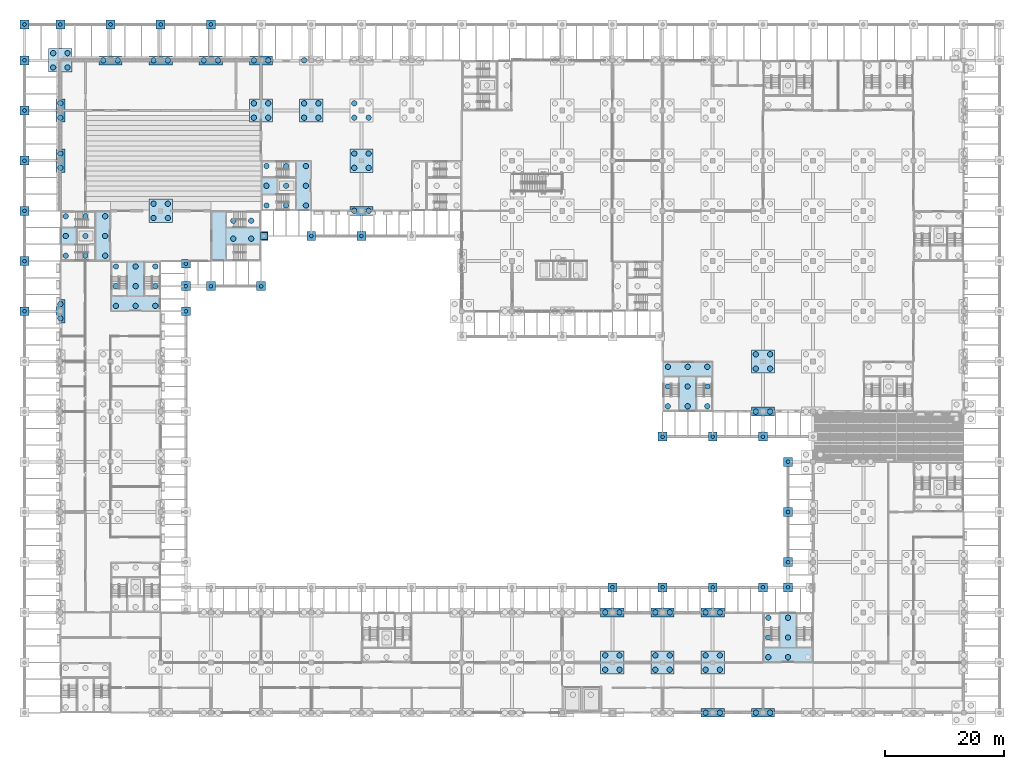
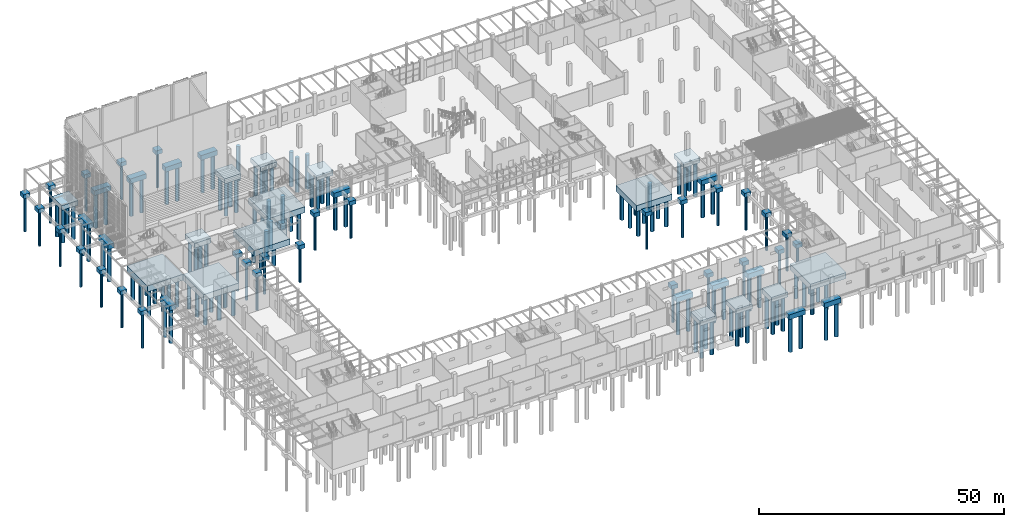
# One storey, part 2 of 82: 143 piles, 59 footings.
"""IFC4 building model written with IfcOpenShell, lengths in metres."""

from ifc_helpers import new_model, si_unit, direction, frame, origin, origin_2d, place, context, subcontext, project, spatial, polyline, rectangle, circle, outline, extrude, material, material_profile, profile_set, type_object, element, save


model = new_model("IFC4")

# Units and contexts
model_context = context("Model", 3, precision=1e-05, world=origin(), true_north=direction((0.0, 1.0)))
body_context = subcontext(model_context, "Body", "Model", "MODEL_VIEW")
ifc_project = project(units=[si_unit("LENGTHUNIT", "METRE"), si_unit("AREAUNIT", "SQUARE_METRE"), si_unit("VOLUMEUNIT", "CUBIC_METRE"), si_unit("PLANEANGLEUNIT", "RADIAN"), si_unit("MASSUNIT", "GRAM", prefix="KILO")], contexts=[model_context])

# Site, building, storey
site_placement = place(None, origin())
site = spatial("IfcSite", under=ifc_project, at=site_placement, CompositionType="ELEMENT")
building_placement = place(site_placement, origin())
building = spatial("IfcBuilding", under=site, at=building_placement, Name="Almond Square Museum", CompositionType="ELEMENT")
storey_placement = place(building_placement, origin())
storey = spatial("IfcBuildingStorey", under=building, at=storey_placement, Name="L00", CompositionType="ELEMENT", Elevation=0.0)

# Piles
ifc_material_1 = material(Name="Concrete C35/45", Category="concrete")
ifc_material_profile_1 = material_profile(ifc_material_1, circle(Radius=0.300048828125, at=origin_2d()))
ifc_profile_set_1 = profile_set([ifc_material_profile_1], Name="Concrete C35/45")
pile_type_1 = type_object("IfcPileType", Name="Bored pile D600 C35/45", PredefinedType="BORED", material=ifc_profile_set_1)
for number, where, z_axis, x_axis, name in (
    (1, (98.39990234375, 21.0, -1.199951171875), (0.0, 0.0, -1.0), (1.0, 0.0, 0.0), "Bored pile 063-1"),
    (2, (106.800048828125, 21.0, -1.199951171875), (0.0, 0.0, -1.0), (1.0, 0.0, 0.0), "Bored pile 064-1"),
    (3, (115.199951171875, 21.0, -1.199951171875), (0.0, 0.0, -1.0), (1.0, 0.0, 0.0), "Bored pile 065-1"),
    (4, (123.60009765625, 21.0, -1.199951171875), (0.0, 0.0, -1.0), (1.0, 0.0, 0.0), "Bored pile 066-1"),
    (5, (127.800048828125, 21.0, -1.199951171875), (0.0, 0.0, -1.0), (1.0, 0.0, 0.0), "Bored pile 067-1"),
    (6, (127.800048828125, 25.199951171875, -1.199951171875), (0.0, 0.0, -1.0), (1.0, 0.0, 0.0), "Bored pile 076-1"),
    (7, (127.800048828125, 33.60009765625, -1.199951171875), (0.0, 0.0, -1.0), (1.0, 0.0, 0.0), "Bored pile 085-1"),
    (8, (127.800048828125, 42.0, -1.199951171875), (0.0, 0.0, -1.0), (1.0, 0.0, 0.0), "Bored pile 094-1"),
    (9, (106.800048828125, 46.199951171875, -1.199951171875), (0.0, 0.0, -1.0), (1.0, 0.0, 0.0), "Bored pile 097-1"),
    (10, (115.199951171875, 46.199951171875, -1.199951171875), (0.0, 0.0, -1.0), (1.0, 0.0, 0.0), "Bored pile 098-1"),
    (11, (123.60009765625, 46.199951171875, -1.199951171875), (0.0, 0.0, -1.0), (1.0, 0.0, 0.0), "Bored pile 099-1"),
    (12, (0.0, 67.199951171875, -1.199951171875), (0.0, 0.0, -1.0), (1.0, 0.0, 0.0), "Bored pile 134-1"),
    (13, (27.0, 67.199951171875, -1.199951171875), (0.0, 0.0, -1.0), (1.0, 0.0, 0.0), "Bored pile 135-1"),
    (14, (27.0, 71.39990234375, -1.199951171875), (0.0, 0.0, -1.0), (1.0, 0.0, 0.0), "Bored pile 141-1"),
    (15, (31.199951171875, 71.39990234375, -1.199951171875), (0.0, 0.0, -1.0), (1.0, 0.0, 0.0), "Bored pile 142-1"),
    (16, (39.60009765625, 71.39990234375, -1.199951171875), (0.0, 0.0, -1.0), (1.0, 0.0, 0.0), "Bored pile 143-1"),
    (17, (27.0, 75.14990234375, -1.199951171875), (0.0, 0.0, -1.0), (1.0, 0.0, 0.0), "Bored pile 151-1"),
    (18, (0.0, 75.60009765625, -1.199951171875), (0.0, 0.0, -1.0), (1.0, 0.0, 0.0), "Bored pile 152-1"),
    (19, (48.0, 79.800048828125, -1.199951171875), (0.0, 0.0, -1.0), (1.0, 0.0, 0.0), "Bored pile 157-1"),
    (20, (56.39990234375, 79.800048828125, -1.199951171875), (0.0, 0.0, -1.0), (1.0, 0.0, 0.0), "Bored pile 158-1"),
    (21, (0.0, 84.0, -1.199951171875), (0.0, 0.0, -1.0), (1.0, 0.0, 0.0), "Bored pile 170-1"),
    (22, (0.0, 92.39990234375, -1.199951171875), (0.0, 0.0, -1.0), (1.0, 0.0, 0.0), "Bored pile 187-1"),
    (23, (0.0, 100.800048828125, -1.199951171875), (0.0, 0.0, -1.0), (1.0, 0.0, 0.0), "Bored pile 199-1"),
    (24, (0.0, 109.199951171875, -1.199951171875), (0.0, 0.0, -1.0), (1.0, 0.0, 0.0), "Bored pile 206-1"),
    (25, (0.0, 115.199951171875, -1.199951171875), (0.0, 0.0, -1.0), (1.0, 0.0, 0.0), "Bored pile 219-1"),
    (26, (6.0, 115.199951171875, -1.199951171875), (0.0, 0.0, -1.0), (1.0, 0.0, 0.0), "Bored pile 220-1"),
    (27, (14.39990234375, 115.199951171875, -1.199951171875), (0.0, 0.0, -1.0), (1.0, 0.0, 0.0), "Bored pile 221-1"),
    (28, (22.800048828125, 115.199951171875, -1.199951171875), (0.0, 0.0, -1.0), (1.0, 0.0, 0.0), "Bored pile 222-1"),
    (29, (31.199951171875, 115.199951171875, -1.199951171875), (0.0, 0.0, -1.0), (1.0, 0.0, 0.0), "Bored pile 223-1"),
):
    element("IfcPile", number, at=place(storey_placement, frame(where, z_axis=z_axis, x_axis=x_axis)), inside=storey, type_object=pile_type_1, Name=name, PredefinedType="BORED", context=body_context, shape_type="SweptSolid", body=[
        extrude(circle(Radius=0.300048828125, at=origin_2d()), origin(), (0.0, 0.0, 1.0), 8.800048828125),
    ])
ifc_material_2 = material(Name="Concrete C35/45", Category="concrete")
ifc_material_profile_2 = material_profile(ifc_material_2, circle(Radius=0.449951171875, at=origin_2d()))
ifc_profile_set_2 = profile_set([ifc_material_profile_2], Name="Concrete C35/45")
pile_type_2 = type_object("IfcPileType", Name="Bored pile D900 C35/45", PredefinedType="BORED", material=ifc_profile_set_2)
for number, where, z_axis, x_axis, name in (
    (30, (114.0, 0.0, -1.39990234375), (0.0, 0.0, -1.0), (1.0, 0.0, 0.0), "Bored pile 013-1"),
    (31, (116.39990234375, 0.0, -1.39990234375), (0.0, 0.0, -1.0), (1.0, 0.0, 0.0), "Bored pile 013-2"),
    (32, (122.39990234375, 0.0, -1.39990234375), (0.0, 0.0, -1.0), (1.0, 0.0, 0.0), "Bored pile 014-1"),
    (33, (124.800048828125, 0.0, -1.39990234375), (0.0, 0.0, -1.0), (1.0, 0.0, 0.0), "Bored pile 014-2"),
    (34, (97.199951171875, 7.199951171875, -1.39990234375), (0.0, 0.0, -1.0), (1.0, 0.0, 0.0), "Bored pile 027-1"),
    (35, (97.199951171875, 9.60009765625, -1.39990234375), (0.0, 0.0, -1.0), (1.0, 0.0, 0.0), "Bored pile 027-2"),
    (36, (99.60009765625, 7.199951171875, -1.39990234375), (0.0, 0.0, -1.0), (1.0, 0.0, 0.0), "Bored pile 027-3"),
    (37, (99.60009765625, 9.60009765625, -1.39990234375), (0.0, 0.0, -1.0), (1.0, 0.0, 0.0), "Bored pile 027-4"),
    (38, (105.60009765625, 7.199951171875, -1.39990234375), (0.0, 0.0, -1.0), (1.0, 0.0, 0.0), "Bored pile 028-1"),
    (39, (105.60009765625, 9.60009765625, -1.39990234375), (0.0, 0.0, -1.0), (1.0, 0.0, 0.0), "Bored pile 028-2"),
    (40, (108.0, 7.199951171875, -1.39990234375), (0.0, 0.0, -1.0), (1.0, 0.0, 0.0), "Bored pile 028-3"),
    (41, (108.0, 9.60009765625, -1.39990234375), (0.0, 0.0, -1.0), (1.0, 0.0, 0.0), "Bored pile 028-4"),
    (42, (114.0, 7.199951171875, -1.39990234375), (0.0, 0.0, -1.0), (1.0, 0.0, 0.0), "Bored pile 029-1"),
    (43, (114.0, 9.60009765625, -1.39990234375), (0.0, 0.0, -1.0), (1.0, 0.0, 0.0), "Bored pile 029-2"),
    (44, (116.39990234375, 7.199951171875, -1.39990234375), (0.0, 0.0, -1.0), (1.0, 0.0, 0.0), "Bored pile 029-3"),
    (45, (116.39990234375, 9.60009765625, -1.39990234375), (0.0, 0.0, -1.0), (1.0, 0.0, 0.0), "Bored pile 029-4"),
):
    element("IfcPile", number, at=place(storey_placement, frame(where, z_axis=z_axis, x_axis=x_axis)), inside=storey, type_object=pile_type_2, Name=name, PredefinedType="BORED", context=body_context, shape_type="SweptSolid", body=[
        extrude(circle(Radius=0.449951171875, at=origin_2d()), origin(), (0.0, 0.0, 1.0), 8.60009765625),
    ])
for number, where, z_axis, x_axis, name in (
    (46, (124.5, 9.300048828125, -3.199951171875), (0.0, 0.0, -1.0), (1.0, 0.0, 0.0), "Bored pile 036-1"),
    (47, (124.5, 12.60009765625, -3.199951171875), (0.0, 0.0, -1.0), (1.0, 0.0, 0.0), "Bored pile 036-2"),
    (48, (124.5, 15.89990234375, -3.199951171875), (0.0, 0.0, -1.0), (1.0, 0.0, 0.0), "Bored pile 036-3"),
    (49, (127.800048828125, 9.300048828125, -3.199951171875), (0.0, 0.0, -1.0), (1.0, 0.0, 0.0), "Bored pile 036-4"),
    (50, (127.800048828125, 12.60009765625, -3.199951171875), (0.0, 0.0, -1.0), (1.0, 0.0, 0.0), "Bored pile 036-5"),
    (51, (127.800048828125, 15.89990234375, -3.199951171875), (0.0, 0.0, -1.0), (1.0, 0.0, 0.0), "Bored pile 036-6"),
):
    element("IfcPile", number, at=place(storey_placement, frame(where, z_axis=z_axis, x_axis=x_axis)), inside=storey, type_object=pile_type_2, Name=name, PredefinedType="BORED", context=body_context, shape_type="SweptSolid", body=[
        extrude(circle(Radius=0.449951171875, at=origin_2d()), origin(), (0.0, 0.0, 1.0), 6.800048828125),
    ])
for number, where, z_axis, x_axis, name in (
    (52, (97.199951171875, 16.800048828125, -1.39990234375), (0.0, 0.0, -1.0), (1.0, 0.0, 0.0), "Bored pile 048-1"),
    (53, (99.60009765625, 16.800048828125, -1.39990234375), (0.0, 0.0, -1.0), (1.0, 0.0, 0.0), "Bored pile 048-2"),
    (54, (105.60009765625, 16.800048828125, -1.39990234375), (0.0, 0.0, -1.0), (1.0, 0.0, 0.0), "Bored pile 049-1"),
    (55, (108.0, 16.800048828125, -1.39990234375), (0.0, 0.0, -1.0), (1.0, 0.0, 0.0), "Bored pile 049-2"),
    (56, (114.0, 16.800048828125, -1.39990234375), (0.0, 0.0, -1.0), (1.0, 0.0, 0.0), "Bored pile 050-1"),
    (57, (116.39990234375, 16.800048828125, -1.39990234375), (0.0, 0.0, -1.0), (1.0, 0.0, 0.0), "Bored pile 050-2"),
    (58, (122.39990234375, 50.39990234375, -1.39990234375), (0.0, 0.0, -1.0), (1.0, 0.0, 0.0), "Bored pile 107-1"),
    (59, (124.800048828125, 50.39990234375, -1.39990234375), (0.0, 0.0, -1.0), (1.0, 0.0, 0.0), "Bored pile 107-2"),
):
    element("IfcPile", number, at=place(storey_placement, frame(where, z_axis=z_axis, x_axis=x_axis)), inside=storey, type_object=pile_type_2, Name=name, PredefinedType="BORED", context=body_context, shape_type="SweptSolid", body=[
        extrude(circle(Radius=0.449951171875, at=origin_2d()), origin(), (0.0, 0.0, 1.0), 8.60009765625),
    ])
for number, where, z_axis, x_axis, name in (
    (60, (107.699951171875, 51.300048828125, -3.199951171875), (0.0, 0.0, -1.0), (1.0, 0.0, 0.0), "Bored pile 110-1"),
    (61, (107.699951171875, 54.60009765625, -3.199951171875), (0.0, 0.0, -1.0), (1.0, 0.0, 0.0), "Bored pile 110-2"),
    (62, (107.699951171875, 57.89990234375, -3.199951171875), (0.0, 0.0, -1.0), (1.0, 0.0, 0.0), "Bored pile 110-3"),
    (63, (111.0, 51.300048828125, -3.199951171875), (0.0, 0.0, -1.0), (1.0, 0.0, 0.0), "Bored pile 110-4"),
    (64, (111.0, 54.60009765625, -3.199951171875), (0.0, 0.0, -1.0), (1.0, 0.0, 0.0), "Bored pile 110-5"),
    (65, (111.0, 57.89990234375, -3.199951171875), (0.0, 0.0, -1.0), (1.0, 0.0, 0.0), "Bored pile 110-6"),
    (66, (114.300048828125, 51.300048828125, -3.199951171875), (0.0, 0.0, -1.0), (1.0, 0.0, 0.0), "Bored pile 110-7"),
    (67, (114.300048828125, 54.60009765625, -3.199951171875), (0.0, 0.0, -1.0), (1.0, 0.0, 0.0), "Bored pile 110-8"),
    (68, (114.300048828125, 57.89990234375, -3.199951171875), (0.0, 0.0, -1.0), (1.0, 0.0, 0.0), "Bored pile 110-9"),
):
    element("IfcPile", number, at=place(storey_placement, frame(where, z_axis=z_axis, x_axis=x_axis)), inside=storey, type_object=pile_type_2, Name=name, PredefinedType="BORED", context=body_context, shape_type="SweptSolid", body=[
        extrude(circle(Radius=0.449951171875, at=origin_2d()), origin(), (0.0, 0.0, 1.0), 6.800048828125),
    ])
for number, where, z_axis, x_axis, name in (
    (69, (122.39990234375, 57.60009765625, -1.39990234375), (0.0, 0.0, -1.0), (1.0, 0.0, 0.0), "Bored pile 115-1"),
    (70, (122.39990234375, 60.0, -1.39990234375), (0.0, 0.0, -1.0), (1.0, 0.0, 0.0), "Bored pile 115-2"),
    (71, (124.800048828125, 57.60009765625, -1.39990234375), (0.0, 0.0, -1.0), (1.0, 0.0, 0.0), "Bored pile 115-3"),
    (72, (124.800048828125, 60.0, -1.39990234375), (0.0, 0.0, -1.0), (1.0, 0.0, 0.0), "Bored pile 115-4"),
    (73, (6.0, 66.0, -1.39990234375), (0.0, 0.0, -1.0), (1.0, 0.0, 0.0), "Bored pile 126-1"),
    (74, (6.0, 68.39990234375, -1.39990234375), (0.0, 0.0, -1.0), (1.0, 0.0, 0.0), "Bored pile 126-2"),
):
    element("IfcPile", number, at=place(storey_placement, frame(where, z_axis=z_axis, x_axis=x_axis)), inside=storey, type_object=pile_type_2, Name=name, PredefinedType="BORED", context=body_context, shape_type="SweptSolid", body=[
        extrude(circle(Radius=0.449951171875, at=origin_2d()), origin(), (0.0, 0.0, 1.0), 8.60009765625),
    ])
for number, where, z_axis, x_axis, name in (
    (75, (15.300048828125, 68.10009765625, -3.199951171875), (0.0, 0.0, -1.0), (1.0, 0.0, 0.0), "Bored pile 139-1"),
    (76, (15.300048828125, 71.39990234375, -3.199951171875), (0.0, 0.0, -1.0), (1.0, 0.0, 0.0), "Bored pile 139-2"),
    (77, (15.300048828125, 74.699951171875, -3.199951171875), (0.0, 0.0, -1.0), (1.0, 0.0, 0.0), "Bored pile 139-3"),
    (78, (18.60009765625, 68.10009765625, -3.199951171875), (0.0, 0.0, -1.0), (1.0, 0.0, 0.0), "Bored pile 139-4"),
    (79, (18.60009765625, 71.39990234375, -3.199951171875), (0.0, 0.0, -1.0), (1.0, 0.0, 0.0), "Bored pile 139-5"),
    (80, (18.60009765625, 74.699951171875, -3.199951171875), (0.0, 0.0, -1.0), (1.0, 0.0, 0.0), "Bored pile 139-6"),
    (81, (21.89990234375, 68.10009765625, -3.199951171875), (0.0, 0.0, -1.0), (1.0, 0.0, 0.0), "Bored pile 139-7"),
    (82, (21.89990234375, 71.39990234375, -3.199951171875), (0.0, 0.0, -1.0), (1.0, 0.0, 0.0), "Bored pile 139-8"),
    (83, (21.89990234375, 74.699951171875, -3.199951171875), (0.0, 0.0, -1.0), (1.0, 0.0, 0.0), "Bored pile 139-9"),
    (84, (6.89990234375, 76.5, -3.199951171875), (0.0, 0.0, -1.0), (1.0, 0.0, 0.0), "Bored pile 154-1"),
    (85, (6.89990234375, 79.800048828125, -3.199951171875), (0.0, 0.0, -1.0), (1.0, 0.0, 0.0), "Bored pile 154-2"),
    (86, (6.89990234375, 83.10009765625, -3.199951171875), (0.0, 0.0, -1.0), (1.0, 0.0, 0.0), "Bored pile 154-3"),
    (87, (10.199951171875, 76.5, -3.199951171875), (0.0, 0.0, -1.0), (1.0, 0.0, 0.0), "Bored pile 154-4"),
    (88, (10.199951171875, 79.800048828125, -3.199951171875), (0.0, 0.0, -1.0), (1.0, 0.0, 0.0), "Bored pile 154-5"),
    (89, (10.199951171875, 83.10009765625, -3.199951171875), (0.0, 0.0, -1.0), (1.0, 0.0, 0.0), "Bored pile 154-6"),
    (90, (13.5, 76.5, -3.199951171875), (0.0, 0.0, -1.0), (1.0, 0.0, 0.0), "Bored pile 154-7"),
    (91, (13.5, 79.800048828125, -3.199951171875), (0.0, 0.0, -1.0), (1.0, 0.0, 0.0), "Bored pile 154-8"),
    (92, (13.5, 83.10009765625, -3.199951171875), (0.0, 0.0, -1.0), (1.0, 0.0, 0.0), "Bored pile 154-9"),
    (93, (34.949951171875, 79.35009765625, -3.199951171875), (0.0, 0.0, -1.0), (1.0, 0.0, 0.0), "Bored pile 155-1"),
    (94, (34.949951171875, 82.35009765625, -3.199951171875), (0.0, 0.0, -1.0), (1.0, 0.0, 0.0), "Bored pile 155-2"),
    (95, (37.949951171875, 79.35009765625, -3.199951171875), (0.0, 0.0, -1.0), (1.0, 0.0, 0.0), "Bored pile 155-3"),
    (96, (37.949951171875, 82.35009765625, -3.199951171875), (0.0, 0.0, -1.0), (1.0, 0.0, 0.0), "Bored pile 155-4"),
):
    element("IfcPile", number, at=place(storey_placement, frame(where, z_axis=z_axis, x_axis=x_axis)), inside=storey, type_object=pile_type_2, Name=name, PredefinedType="BORED", context=body_context, shape_type="SweptSolid", body=[
        extrude(circle(Radius=0.449951171875, at=origin_2d()), origin(), (0.0, 0.0, 1.0), 6.800048828125),
    ])
for number, where, z_axis, x_axis, name in (
    (97, (21.60009765625, 82.800048828125, -1.39990234375), (0.0, 0.0, -1.0), (1.0, 0.0, 0.0), "Bored pile 161-1"),
    (98, (21.60009765625, 85.199951171875, -1.39990234375), (0.0, 0.0, -1.0), (1.0, 0.0, 0.0), "Bored pile 161-2"),
    (99, (24.0, 82.800048828125, -1.39990234375), (0.0, 0.0, -1.0), (1.0, 0.0, 0.0), "Bored pile 161-3"),
    (100, (24.0, 85.199951171875, -1.39990234375), (0.0, 0.0, -1.0), (1.0, 0.0, 0.0), "Bored pile 161-4"),
    (101, (55.199951171875, 84.0, -1.39990234375), (0.0, 0.0, -1.0), (1.0, 0.0, 0.0), "Bored pile 171-1"),
    (102, (57.60009765625, 84.0, -1.39990234375), (0.0, 0.0, -1.0), (1.0, 0.0, 0.0), "Bored pile 171-2"),
):
    element("IfcPile", number, at=place(storey_placement, frame(where, z_axis=z_axis, x_axis=x_axis)), inside=storey, type_object=pile_type_2, Name=name, PredefinedType="BORED", context=body_context, shape_type="SweptSolid", body=[
        extrude(circle(Radius=0.449951171875, at=origin_2d()), origin(), (0.0, 0.0, 1.0), 8.60009765625),
    ])
for number, where, z_axis, x_axis, name in (
    (103, (40.5, 84.89990234375, -3.199951171875), (0.0, 0.0, -1.0), (1.0, 0.0, 0.0), "Bored pile 173-1"),
    (104, (40.5, 88.199951171875, -3.199951171875), (0.0, 0.0, -1.0), (1.0, 0.0, 0.0), "Bored pile 173-2"),
    (105, (40.5, 91.5, -3.199951171875), (0.0, 0.0, -1.0), (1.0, 0.0, 0.0), "Bored pile 173-3"),
    (106, (43.800048828125, 84.89990234375, -3.199951171875), (0.0, 0.0, -1.0), (1.0, 0.0, 0.0), "Bored pile 173-4"),
    (107, (43.800048828125, 88.199951171875, -3.199951171875), (0.0, 0.0, -1.0), (1.0, 0.0, 0.0), "Bored pile 173-5"),
    (108, (43.800048828125, 91.5, -3.199951171875), (0.0, 0.0, -1.0), (1.0, 0.0, 0.0), "Bored pile 173-6"),
    (109, (47.10009765625, 84.89990234375, -3.199951171875), (0.0, 0.0, -1.0), (1.0, 0.0, 0.0), "Bored pile 173-7"),
    (110, (47.10009765625, 88.199951171875, -3.199951171875), (0.0, 0.0, -1.0), (1.0, 0.0, 0.0), "Bored pile 173-8"),
    (111, (47.10009765625, 91.5, -3.199951171875), (0.0, 0.0, -1.0), (1.0, 0.0, 0.0), "Bored pile 173-9"),
):
    element("IfcPile", number, at=place(storey_placement, frame(where, z_axis=z_axis, x_axis=x_axis)), inside=storey, type_object=pile_type_2, Name=name, PredefinedType="BORED", context=body_context, shape_type="SweptSolid", body=[
        extrude(circle(Radius=0.449951171875, at=origin_2d()), origin(), (0.0, 0.0, 1.0), 6.800048828125),
    ])
for number, where, z_axis, x_axis, name in (
    (112, (6.0, 91.199951171875, -1.39990234375), (0.0, 0.0, -1.0), (1.0, 0.0, 0.0), "Bored pile 175-1"),
    (113, (6.0, 93.60009765625, -1.39990234375), (0.0, 0.0, -1.0), (1.0, 0.0, 0.0), "Bored pile 175-2"),
    (114, (55.199951171875, 91.199951171875, -1.39990234375), (0.0, 0.0, -1.0), (1.0, 0.0, 0.0), "Bored pile 176-1"),
    (115, (55.199951171875, 93.60009765625, -1.39990234375), (0.0, 0.0, -1.0), (1.0, 0.0, 0.0), "Bored pile 176-2"),
    (116, (57.60009765625, 91.199951171875, -1.39990234375), (0.0, 0.0, -1.0), (1.0, 0.0, 0.0), "Bored pile 176-3"),
    (117, (57.60009765625, 93.60009765625, -1.39990234375), (0.0, 0.0, -1.0), (1.0, 0.0, 0.0), "Bored pile 176-4"),
    (118, (6.0, 99.60009765625, -1.39990234375), (0.0, 0.0, -1.0), (1.0, 0.0, 0.0), "Bored pile 189-1"),
    (119, (6.0, 102.0, -1.39990234375), (0.0, 0.0, -1.0), (1.0, 0.0, 0.0), "Bored pile 189-2"),
    (120, (38.39990234375, 99.60009765625, -1.39990234375), (0.0, 0.0, -1.0), (1.0, 0.0, 0.0), "Bored pile 190-1"),
    (121, (38.39990234375, 102.0, -1.39990234375), (0.0, 0.0, -1.0), (1.0, 0.0, 0.0), "Bored pile 190-2"),
    (122, (40.800048828125, 99.60009765625, -1.39990234375), (0.0, 0.0, -1.0), (1.0, 0.0, 0.0), "Bored pile 190-3"),
    (123, (40.800048828125, 102.0, -1.39990234375), (0.0, 0.0, -1.0), (1.0, 0.0, 0.0), "Bored pile 190-4"),
    (124, (46.800048828125, 99.60009765625, -1.39990234375), (0.0, 0.0, -1.0), (1.0, 0.0, 0.0), "Bored pile 191-1"),
    (125, (46.800048828125, 102.0, -1.39990234375), (0.0, 0.0, -1.0), (1.0, 0.0, 0.0), "Bored pile 191-2"),
    (126, (49.199951171875, 99.60009765625, -1.39990234375), (0.0, 0.0, -1.0), (1.0, 0.0, 0.0), "Bored pile 191-3"),
    (127, (49.199951171875, 102.0, -1.39990234375), (0.0, 0.0, -1.0), (1.0, 0.0, 0.0), "Bored pile 191-4"),
    (128, (55.199951171875, 99.60009765625, -1.39990234375), (0.0, 0.0, -1.0), (1.0, 0.0, 0.0), "Bored pile 192-1"),
    (129, (55.199951171875, 102.0, -1.39990234375), (0.0, 0.0, -1.0), (1.0, 0.0, 0.0), "Bored pile 192-2"),
    (130, (57.60009765625, 99.60009765625, -1.39990234375), (0.0, 0.0, -1.0), (1.0, 0.0, 0.0), "Bored pile 192-3"),
    (131, (4.800048828125, 108.0, -1.39990234375), (0.0, 0.0, -1.0), (1.0, 0.0, 0.0), "Bored pile 204-1"),
    (132, (4.800048828125, 110.39990234375, -1.39990234375), (0.0, 0.0, -1.0), (1.0, 0.0, 0.0), "Bored pile 204-2"),
    (133, (7.199951171875, 108.0, -1.39990234375), (0.0, 0.0, -1.0), (1.0, 0.0, 0.0), "Bored pile 204-3"),
    (134, (7.199951171875, 110.39990234375, -1.39990234375), (0.0, 0.0, -1.0), (1.0, 0.0, 0.0), "Bored pile 204-4"),
    (135, (13.199951171875, 109.199951171875, -1.39990234375), (0.0, 0.0, -1.0), (1.0, 0.0, 0.0), "Bored pile 207-1"),
    (136, (15.60009765625, 109.199951171875, -1.39990234375), (0.0, 0.0, -1.0), (1.0, 0.0, 0.0), "Bored pile 207-2"),
    (137, (21.60009765625, 109.199951171875, -1.39990234375), (0.0, 0.0, -1.0), (1.0, 0.0, 0.0), "Bored pile 208-1"),
    (138, (24.0, 109.199951171875, -1.39990234375), (0.0, 0.0, -1.0), (1.0, 0.0, 0.0), "Bored pile 208-2"),
    (139, (30.0, 109.199951171875, -1.39990234375), (0.0, 0.0, -1.0), (1.0, 0.0, 0.0), "Bored pile 209-1"),
    (140, (32.39990234375, 109.199951171875, -1.39990234375), (0.0, 0.0, -1.0), (1.0, 0.0, 0.0), "Bored pile 209-2"),
    (141, (38.39990234375, 109.199951171875, -1.39990234375), (0.0, 0.0, -1.0), (1.0, 0.0, 0.0), "Bored pile 210-1"),
    (142, (40.800048828125, 109.199951171875, -1.39990234375), (0.0, 0.0, -1.0), (1.0, 0.0, 0.0), "Bored pile 210-2"),
    (143, (46.800048828125, 109.199951171875, -1.39990234375), (0.0, 0.0, -1.0), (1.0, 0.0, 0.0), "Bored pile 211-1"),
):
    element("IfcPile", number, at=place(storey_placement, frame(where, z_axis=z_axis, x_axis=x_axis)), inside=storey, type_object=pile_type_2, Name=name, PredefinedType="BORED", context=body_context, shape_type="SweptSolid", body=[
        extrude(circle(Radius=0.449951171875, at=origin_2d()), origin(), (0.0, 0.0, 1.0), 8.60009765625),
    ])

# Footings
ifc_material_3 = material(Name="Concrete C35/45", Category="concrete")
footing_type_1 = type_object("IfcFootingType", Name="Column pedestal on a combined cap", PredefinedType="PAD_FOOTING", material=ifc_material_3)
footing_1_placement = place(storey_placement, frame((40.050048828125, 79.800048828125, -1.800048828125), z_axis=(0.0, 0.0, 1.0), x_axis=(1.0, 0.0, 0.0)))
element("IfcFooting", 144, at=footing_1_placement, inside=storey, type_object=footing_type_1, Name="Column pedestal PD-01", PredefinedType="PAD_FOOTING", context=body_context, shape_type="SweptSolid", body=[
    extrude(rectangle(XDim=1.199951171875, YDim=1.199951171875, at=origin_2d()), origin(), (0.0, 0.0, 1.0), 1.5),
])
ifc_material_4 = material(Name="Concrete C35/45", Category="concrete")
footing_type_2 = type_object("IfcFootingType", Name="Pile cap on a core and the columns beside it on a combined raft", PredefinedType="PILE_CAP", material=ifc_material_4)
footing_2_placement = place(storey_placement, frame((0.0, 0.0, -3.300048828125)))
element("IfcFooting", 145, at=footing_2_placement, inside=storey, type_object=footing_type_2, Name="Pile cap PC-155", PredefinedType="PILE_CAP", context=body_context, shape_type="SweptSolid", body=[
    extrude(outline(polyline([(39.60009765625, 75.60009765625), (31.199951171875, 75.60009765625), (31.199951171875, 84.0), (39.60009765625, 84.0), (39.60009765625, 80.550048828125), (40.800048828125, 80.550048828125), (40.800048828125, 79.050048828125), (39.60009765625, 79.050048828125), (39.60009765625, 75.60009765625)])), origin(), (0.0, 0.0, 1.0), 1.5),
])
ifc_material_5 = material(Name="Concrete C35/45", Category="concrete")
footing_type_3 = type_object("IfcFootingType", Name="Pile cap on four bored piles D900", PredefinedType="PILE_CAP", material=ifc_material_5)
for number, where, z_axis, x_axis, name in (
    (146, (98.39990234375, 8.39990234375, -1.5), (0.0, 0.0, 1.0), (1.0, 0.0, 0.0), "Pile cap PC-27"),
    (147, (106.800048828125, 8.39990234375, -1.5), (0.0, 0.0, 1.0), (1.0, 0.0, 0.0), "Pile cap PC-28"),
    (148, (115.199951171875, 8.39990234375, -1.5), (0.0, 0.0, 1.0), (1.0, 0.0, 0.0), "Pile cap PC-29"),
    (149, (123.60009765625, 58.800048828125, -1.5), (0.0, 0.0, 1.0), (1.0, 0.0, 0.0), "Pile cap PC-115"),
    (150, (22.800048828125, 84.0, -1.5), (0.0, 0.0, 1.0), (1.0, 0.0, 0.0), "Pile cap PC-161"),
    (151, (56.39990234375, 92.39990234375, -1.5), (0.0, 0.0, 1.0), (1.0, 0.0, 0.0), "Pile cap PC-176"),
    (152, (39.60009765625, 100.800048828125, -1.5), (0.0, 0.0, 1.0), (1.0, 0.0, 0.0), "Pile cap PC-190"),
    (153, (48.0, 100.800048828125, -1.5), (0.0, 0.0, 1.0), (1.0, 0.0, 0.0), "Pile cap PC-191"),
    (154, (6.0, 109.199951171875, -1.5), (0.0, 0.0, 1.0), (1.0, 0.0, 0.0), "Pile cap PC-204"),
):
    element("IfcFooting", number, at=place(storey_placement, frame(where, z_axis=z_axis, x_axis=x_axis)), inside=storey, type_object=footing_type_3, Name=name, PredefinedType="PILE_CAP", context=body_context, shape_type="SweptSolid", body=[
        extrude(rectangle(XDim=3.89990234375, YDim=3.89990234375, at=origin_2d()), origin(), (0.0, 0.0, 1.0), 1.199951171875),
    ])
ifc_material_6 = material(Name="Concrete C35/45", Category="concrete")
footing_type_4 = type_object("IfcFootingType", Name="Pile cap on nine bored piles D900 under a stair core", PredefinedType="PILE_CAP", material=ifc_material_6)
for number, where, z_axis, x_axis, name in (
    (155, (127.800048828125, 12.60009765625, -3.300048828125), (0.0, 0.0, 1.0), (1.0, 0.0, 0.0), "Pile cap PC-36"),
    (156, (111.0, 54.60009765625, -3.300048828125), (0.0, 0.0, 1.0), (1.0, 0.0, 0.0), "Pile cap PC-110"),
    (157, (18.60009765625, 71.39990234375, -3.300048828125), (0.0, 0.0, 1.0), (1.0, 0.0, 0.0), "Pile cap PC-139"),
    (158, (10.199951171875, 79.800048828125, -3.300048828125), (0.0, 0.0, 1.0), (1.0, 0.0, 0.0), "Pile cap PC-154"),
    (159, (43.800048828125, 88.199951171875, -3.300048828125), (0.0, 0.0, 1.0), (1.0, 0.0, 0.0), "Pile cap PC-173"),
):
    element("IfcFooting", number, at=place(storey_placement, frame(where, z_axis=z_axis, x_axis=x_axis)), inside=storey, type_object=footing_type_4, Name=name, PredefinedType="PILE_CAP", context=body_context, shape_type="SweptSolid", body=[
        extrude(rectangle(XDim=8.39990234375, YDim=8.39990234375, at=origin_2d()), origin(), (0.0, 0.0, 1.0), 1.5),
    ])
ifc_material_7 = material(Name="Concrete C35/45", Category="concrete")
footing_type_5 = type_object("IfcFootingType", Name="Pile cap on one bored pile D600", PredefinedType="PILE_CAP", material=ifc_material_7)
for number, where, z_axis, x_axis, name in (
    (160, (98.39990234375, 21.0, -1.300048828125), (0.0, 0.0, 1.0), (1.0, 0.0, 0.0), "Pile cap PC-63"),
    (161, (106.800048828125, 21.0, -1.300048828125), (0.0, 0.0, 1.0), (1.0, 0.0, 0.0), "Pile cap PC-64"),
    (162, (115.199951171875, 21.0, -1.300048828125), (0.0, 0.0, 1.0), (1.0, 0.0, 0.0), "Pile cap PC-65"),
    (163, (123.60009765625, 21.0, -1.300048828125), (0.0, 0.0, 1.0), (1.0, 0.0, 0.0), "Pile cap PC-66"),
    (164, (127.800048828125, 21.0, -1.300048828125), (0.0, 0.0, 1.0), (1.0, 0.0, 0.0), "Pile cap PC-67"),
    (165, (127.800048828125, 25.199951171875, -1.300048828125), (0.0, 0.0, 1.0), (1.0, 0.0, 0.0), "Pile cap PC-76"),
    (166, (127.800048828125, 33.60009765625, -1.300048828125), (0.0, 0.0, 1.0), (1.0, 0.0, 0.0), "Pile cap PC-85"),
    (167, (127.800048828125, 42.0, -1.300048828125), (0.0, 0.0, 1.0), (1.0, 0.0, 0.0), "Pile cap PC-94"),
    (168, (106.800048828125, 46.199951171875, -1.300048828125), (0.0, 0.0, 1.0), (1.0, 0.0, 0.0), "Pile cap PC-97"),
    (169, (115.199951171875, 46.199951171875, -1.300048828125), (0.0, 0.0, 1.0), (1.0, 0.0, 0.0), "Pile cap PC-98"),
    (170, (123.60009765625, 46.199951171875, -1.300048828125), (0.0, 0.0, 1.0), (1.0, 0.0, 0.0), "Pile cap PC-99"),
    (171, (0.0, 67.199951171875, -1.300048828125), (0.0, 0.0, 1.0), (1.0, 0.0, 0.0), "Pile cap PC-134"),
    (172, (27.0, 67.199951171875, -1.300048828125), (0.0, 0.0, 1.0), (1.0, 0.0, 0.0), "Pile cap PC-135"),
    (173, (27.0, 71.39990234375, -1.300048828125), (0.0, 0.0, 1.0), (1.0, 0.0, 0.0), "Pile cap PC-141"),
    (174, (31.199951171875, 71.39990234375, -1.300048828125), (0.0, 0.0, 1.0), (1.0, 0.0, 0.0), "Pile cap PC-142"),
    (175, (39.60009765625, 71.39990234375, -1.300048828125), (0.0, 0.0, 1.0), (1.0, 0.0, 0.0), "Pile cap PC-143"),
    (176, (27.0, 75.14990234375, -1.300048828125), (0.0, 0.0, 1.0), (1.0, 0.0, 0.0), "Pile cap PC-151"),
    (177, (0.0, 75.60009765625, -1.300048828125), (0.0, 0.0, 1.0), (1.0, 0.0, 0.0), "Pile cap PC-152"),
    (178, (48.0, 79.800048828125, -1.300048828125), (0.0, 0.0, 1.0), (1.0, 0.0, 0.0), "Pile cap PC-157"),
    (179, (56.39990234375, 79.800048828125, -1.300048828125), (0.0, 0.0, 1.0), (1.0, 0.0, 0.0), "Pile cap PC-158"),
    (180, (0.0, 84.0, -1.300048828125), (0.0, 0.0, 1.0), (1.0, 0.0, 0.0), "Pile cap PC-170"),
    (181, (0.0, 92.39990234375, -1.300048828125), (0.0, 0.0, 1.0), (1.0, 0.0, 0.0), "Pile cap PC-187"),
    (182, (0.0, 100.800048828125, -1.300048828125), (0.0, 0.0, 1.0), (1.0, 0.0, 0.0), "Pile cap PC-199"),
    (183, (0.0, 109.199951171875, -1.300048828125), (0.0, 0.0, 1.0), (1.0, 0.0, 0.0), "Pile cap PC-206"),
    (184, (0.0, 115.199951171875, -1.300048828125), (0.0, 0.0, 1.0), (1.0, 0.0, 0.0), "Pile cap PC-219"),
    (185, (6.0, 115.199951171875, -1.300048828125), (0.0, 0.0, 1.0), (1.0, 0.0, 0.0), "Pile cap PC-220"),
    (186, (14.39990234375, 115.199951171875, -1.300048828125), (0.0, 0.0, 1.0), (1.0, 0.0, 0.0), "Pile cap PC-221"),
    (187, (22.800048828125, 115.199951171875, -1.300048828125), (0.0, 0.0, 1.0), (1.0, 0.0, 0.0), "Pile cap PC-222"),
    (188, (31.199951171875, 115.199951171875, -1.300048828125), (0.0, 0.0, 1.0), (1.0, 0.0, 0.0), "Pile cap PC-223"),
):
    element("IfcFooting", number, at=place(storey_placement, frame(where, z_axis=z_axis, x_axis=x_axis)), inside=storey, type_object=footing_type_5, Name=name, PredefinedType="PILE_CAP", context=body_context, shape_type="SweptSolid", body=[
        extrude(rectangle(XDim=1.5, YDim=1.5, at=origin_2d()), origin(), (0.0, 0.0, 1.0), 1.0),
    ])
ifc_material_8 = material(Name="Concrete C35/45", Category="concrete")
footing_type_6 = type_object("IfcFootingType", Name="Pile cap on two bored piles D900", PredefinedType="PILE_CAP", material=ifc_material_8)
for number, where, z_axis, x_axis, name in (
    (189, (115.199951171875, 0.0, -1.5), (0.0, 0.0, 1.0), (1.0, 0.0, 0.0), "Pile cap PC-13"),
    (190, (123.60009765625, 0.0, -1.5), (0.0, 0.0, 1.0), (1.0, 0.0, 0.0), "Pile cap PC-14"),
    (191, (98.39990234375, 16.800048828125, -1.5), (0.0, 0.0, 1.0), (1.0, 0.0, 0.0), "Pile cap PC-48"),
    (192, (106.800048828125, 16.800048828125, -1.5), (0.0, 0.0, 1.0), (1.0, 0.0, 0.0), "Pile cap PC-49"),
    (193, (115.199951171875, 16.800048828125, -1.5), (0.0, 0.0, 1.0), (1.0, 0.0, 0.0), "Pile cap PC-50"),
    (194, (123.60009765625, 50.39990234375, -1.5), (0.0, 0.0, 1.0), (1.0, 0.0, 0.0), "Pile cap PC-107"),
):
    element("IfcFooting", number, at=place(storey_placement, frame(where, z_axis=z_axis, x_axis=x_axis)), inside=storey, type_object=footing_type_6, Name=name, PredefinedType="PILE_CAP", context=body_context, shape_type="SweptSolid", body=[
        extrude(rectangle(XDim=3.89990234375, YDim=1.5, at=origin_2d()), origin(), (0.0, 0.0, 1.0), 1.199951171875),
    ])
footing_3_placement = place(storey_placement, frame((6.0, 67.199951171875, -1.5), z_axis=(0.0, 0.0, 1.0), x_axis=(1.0, 0.0, 0.0)))
element("IfcFooting", 195, at=footing_3_placement, inside=storey, type_object=footing_type_6, Name="Pile cap PC-126", PredefinedType="PILE_CAP", context=body_context, shape_type="SweptSolid", body=[
    extrude(rectangle(XDim=1.5, YDim=3.89990234375, at=origin_2d()), origin(), (0.0, 0.0, 1.0), 1.199951171875),
])
footing_4_placement = place(storey_placement, frame((56.39990234375, 84.0, -1.5), z_axis=(0.0, 0.0, 1.0), x_axis=(1.0, 0.0, 0.0)))
element("IfcFooting", 196, at=footing_4_placement, inside=storey, type_object=footing_type_6, Name="Pile cap PC-171", PredefinedType="PILE_CAP", context=body_context, shape_type="SweptSolid", body=[
    extrude(rectangle(XDim=3.89990234375, YDim=1.5, at=origin_2d()), origin(), (0.0, 0.0, 1.0), 1.199951171875),
])
for number, where, z_axis, x_axis, name in (
    (197, (6.0, 92.39990234375, -1.5), (0.0, 0.0, 1.0), (1.0, 0.0, 0.0), "Pile cap PC-175"),
    (198, (6.0, 100.800048828125, -1.5), (0.0, 0.0, 1.0), (1.0, 0.0, 0.0), "Pile cap PC-189"),
):
    element("IfcFooting", number, at=place(storey_placement, frame(where, z_axis=z_axis, x_axis=x_axis)), inside=storey, type_object=footing_type_6, Name=name, PredefinedType="PILE_CAP", context=body_context, shape_type="SweptSolid", body=[
        extrude(rectangle(XDim=1.5, YDim=3.89990234375, at=origin_2d()), origin(), (0.0, 0.0, 1.0), 1.199951171875),
    ])
for number, where, z_axis, x_axis, name in (
    (199, (14.39990234375, 109.199951171875, -1.5), (0.0, 0.0, 1.0), (1.0, 0.0, 0.0), "Pile cap PC-207"),
    (200, (22.800048828125, 109.199951171875, -1.5), (0.0, 0.0, 1.0), (1.0, 0.0, 0.0), "Pile cap PC-208"),
    (201, (31.199951171875, 109.199951171875, -1.5), (0.0, 0.0, 1.0), (1.0, 0.0, 0.0), "Pile cap PC-209"),
    (202, (39.60009765625, 109.199951171875, -1.5), (0.0, 0.0, 1.0), (1.0, 0.0, 0.0), "Pile cap PC-210"),
):
    element("IfcFooting", number, at=place(storey_placement, frame(where, z_axis=z_axis, x_axis=x_axis)), inside=storey, type_object=footing_type_6, Name=name, PredefinedType="PILE_CAP", context=body_context, shape_type="SweptSolid", body=[
        extrude(rectangle(XDim=3.89990234375, YDim=1.5, at=origin_2d()), origin(), (0.0, 0.0, 1.0), 1.199951171875),
    ])

save(model, "model.ifc")
